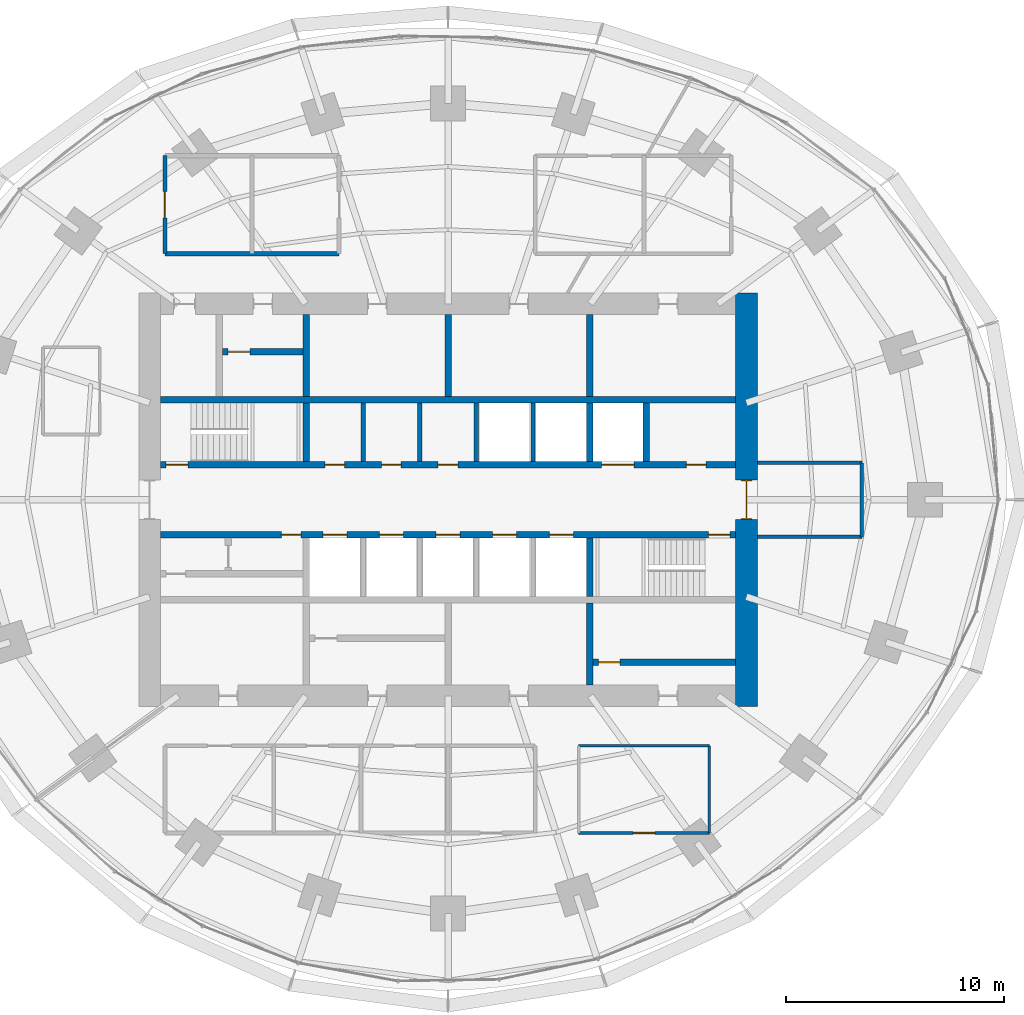
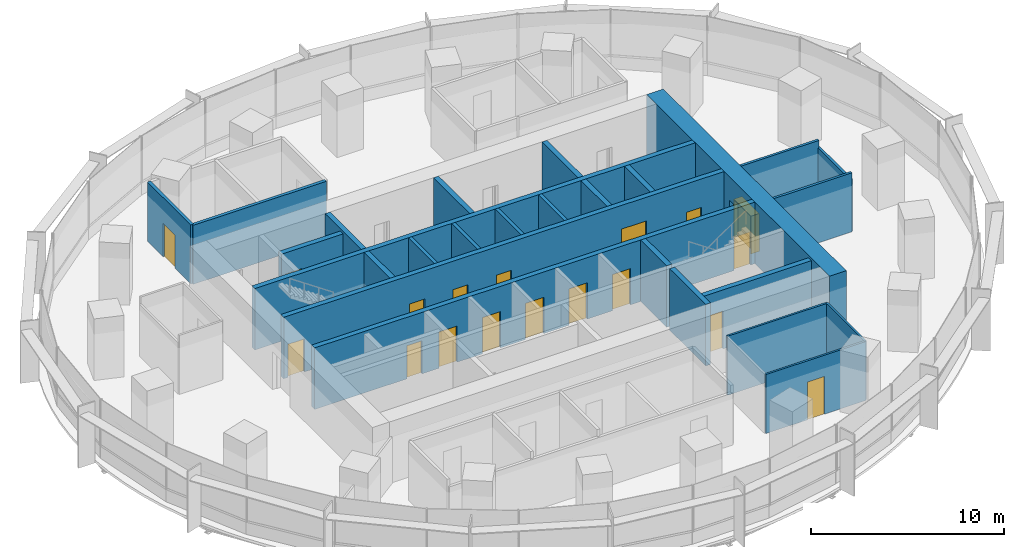
# One storey, part 11 of 14: 26 walls, 18 doors, 18 openings.
"""IFC4 building model written with IfcOpenShell, lengths in metres."""

from ifc_helpers import new_model, si_unit, direction, frame, frame_2d, origin, place, context, subcontext, project, spatial, rectangle, extrude, material, layer, layer_set, type_object, element, fill, save


model = new_model("IFC4")

# Units and contexts
model_context = context("Model", 3, precision=1e-05, world=origin(), true_north=direction((0.0, 1.0)))
body_context = subcontext(model_context, "Body", "Model", "MODEL_VIEW")
ifc_project = project(units=[si_unit("LENGTHUNIT", "METRE"), si_unit("AREAUNIT", "SQUARE_METRE"), si_unit("VOLUMEUNIT", "CUBIC_METRE"), si_unit("PLANEANGLEUNIT", "RADIAN"), si_unit("MASSUNIT", "GRAM", prefix="KILO")], contexts=[model_context])

# Site, building, storey
site_placement = place(None, origin())
site = spatial("IfcSite", under=ifc_project, at=site_placement, CompositionType="ELEMENT")
building_placement = place(site_placement, origin())
building = spatial("IfcBuilding", under=site, at=building_placement, Name="Marramba Exchange Tower", CompositionType="ELEMENT")
storey_placement = place(building_placement, frame((0.0, 0.0, 139.199951171875)))
storey = spatial("IfcBuildingStorey", under=building, at=storey_placement, Name="L33", CompositionType="ELEMENT", Elevation=139.199951171875)

# Walls
ifc_material_1 = material(Name="Concrete N50", Category="concrete")
ifc_layer_1 = layer(ifc_material_1, 0.199951171875)
ifc_layer_set_1 = layer_set([ifc_layer_1], Name="Core shaft wall 200")
wall_type_1 = type_object("IfcWallType", Name="Core shaft wall 200", PredefinedType="SHEAR", material=ifc_layer_set_1)
for number, where, z_axis, x_axis, name in (
    (1, (-3.89990234375, 1.75, 0.0), (0.0, 0.0, 1.0), (0.0, 1.0, 0.0), "Core wall SHN1 L33"),
    (2, (-1.300048828125, 1.75, 0.0), (0.0, 0.0, 1.0), (0.0, 1.0, 0.0), "Core wall SHN2 L33"),
    (3, (1.300048828125, 1.75, 0.0), (0.0, 0.0, 1.0), (0.0, 1.0, 0.0), "Core wall SHN3 L33"),
    (4, (3.89990234375, 1.75, 0.0), (0.0, 0.0, 1.0), (0.0, 1.0, 0.0), "Core wall SHN4 L33"),
):
    element("IfcWall", number, at=place(storey_placement, frame(where, z_axis=z_axis, x_axis=x_axis)), inside=storey, type_object=wall_type_1, Name=name, PredefinedType="SHEAR", context=body_context, shape_type="SweptSolid", body=[
        extrude(rectangle(XDim=2.699951171875, YDim=0.199951171875, at=frame_2d((1.35009765625, 0.0))), origin(), (0.0, 0.0, 1.0), 3.900146484375),
    ])

# Wall, opening, door
ifc_layer_2 = layer(ifc_material_1, 1.0)
ifc_layer_set_2 = layer_set([ifc_layer_2], Name="Core wall 1000")
wall_type_2 = type_object("IfcWallType", Name="Core wall 1000", PredefinedType="SHEAR", material=ifc_layer_set_2)
wall_1_placement = place(storey_placement, frame((13.699951171875, -9.5, 0.0), z_axis=(0.0, 0.0, 1.0), x_axis=(0.0, 1.0, 0.0)))
wall_1 = element("IfcWall", 5, at=wall_1_placement, inside=storey, type_object=wall_type_2, Name="Core wall E L33", PredefinedType="SHEAR", context=body_context, shape_type="SweptSolid", body=[
    extrude(rectangle(XDim=19.0, YDim=1.0, at=frame_2d((9.5, 0.0))), origin(), (0.0, 0.0, 1.0), 3.900146484375),
])
opening_1_placement = place(wall_1_placement, frame((8.60009765625, 0.0, 0.0)))
opening_1 = element("IfcOpeningElement", 6, at=opening_1_placement, cuts=wall_1, Name="Opening D1", PredefinedType="OPENING", context=body_context, shape_type="SweptSolid", body=[
    extrude(rectangle(XDim=1.800048828125, YDim=2.39990234375, at=frame_2d((0.89990234375, 1.199951171875))), frame((0.0, 0.510009765625, 0.0), z_axis=(0.0, -1.0, 0.0), x_axis=(1.0, 0.0, 0.0)), (0.0, 0.0, 1.0), 1.02001953125),
])
ifc_material_2 = material(Name="Steel-framed door", Category="steel")
door_type_1 = type_object("IfcDoorType", Name="Lobby exit door 1800x2400", OperationType="DOUBLE_DOOR_SINGLE_SWING", PredefinedType="DOOR", material=ifc_material_2)
door_1_placement = place(opening_1_placement, frame((1.800048828125, 0.0, 0.0), z_axis=(0.0, 0.0, 1.0), x_axis=(-1.0, 0.0, 0.0)))
door_1 = element("IfcDoor", 7, at=door_1_placement, inside=storey, type_object=door_type_1, Name="D1 lobby exit east L33", OperationType="DOUBLE_DOOR_SINGLE_SWING", OverallHeight=2.39990234375, OverallWidth=1.800048828125, PredefinedType="DOOR", context=body_context, shape_type="SweptSolid", body=[
    extrude(rectangle(XDim=1.719970703125, YDim=2.35986328125, at=frame_2d((0.900146484375, 1.179931640625))), frame((0.0, 0.025146484375, 0.0), z_axis=(0.0, -1.0, 0.0), x_axis=(1.0, 0.0, 0.0)), (0.0, 0.0, 1.0), 0.050048828125),
    extrude(rectangle(XDim=0.04, YDim=2.39990234375, at=frame_2d((1.780029296875, 1.199951171875))), frame((0.0, 0.25, 0.0), z_axis=(0.0, -1.0, 0.0), x_axis=(1.0, 0.0, 0.0)), (0.0, 0.0, 1.0), 0.5),
    extrude(rectangle(XDim=0.04, YDim=2.39990234375, at=frame_2d((0.02001953125, 1.199951171875))), frame((0.0, 0.25, 0.0), z_axis=(0.0, -1.0, 0.0), x_axis=(1.0, 0.0, 0.0)), (0.0, 0.0, 1.0), 0.5),
    extrude(rectangle(XDim=1.719970703125, YDim=0.04, at=frame_2d((0.900146484375, 2.3798828125))), frame((0.0, 0.25, 0.0), z_axis=(0.0, -1.0, 0.0), x_axis=(1.0, 0.0, 0.0)), (0.0, 0.0, 1.0), 0.5),
])
fill(opening_1, door_1)

# Wall, openings, doors
ifc_layer_3 = layer(ifc_material_1, 0.300048828125)
ifc_layer_set_3 = layer_set([ifc_layer_3], Name="Core wall 300")
wall_type_3 = type_object("IfcWallType", Name="Core wall 300", PredefinedType="SHEAR", material=ifc_layer_set_3)
wall_2_placement = place(storey_placement, frame((-13.199951171875, 1.60009765625, 0.0), z_axis=(0.0, 0.0, 1.0), x_axis=(1.0, 0.0, 0.0)))
wall_2 = element("IfcWall", 8, at=wall_2_placement, inside=storey, type_object=wall_type_3, Name="Core wall LN L33", PredefinedType="SHEAR", context=body_context, shape_type="SweptSolid", body=[
    extrude(rectangle(XDim=26.39990234375, YDim=0.300048828125, at=frame_2d((13.199951171875, 0.0))), origin(), (0.0, 0.0, 1.0), 3.900146484375),
])
opening_2_placement = place(wall_2_placement, frame((0.25, 0.0, 0.0)))
opening_2 = element("IfcOpeningElement", 9, at=opening_2_placement, cuts=wall_2, Name="Opening D2", PredefinedType="OPENING", context=body_context, shape_type="SweptSolid", body=[
    extrude(rectangle(XDim=1.0, YDim=2.10009765625, at=frame_2d((0.5, 1.050048828125))), frame((0.0, 0.159912109375, 0.0), z_axis=(0.0, -1.0, 0.0), x_axis=(1.0, 0.0, 0.0)), (0.0, 0.0, 1.0), 0.320068359375),
])
opening_3_placement = place(wall_2_placement, frame((20.25, 0.0, 0.0)))
opening_3 = element("IfcOpeningElement", 10, at=opening_3_placement, cuts=wall_2, Name="Opening LD3", PredefinedType="OPENING", context=body_context, shape_type="SweptSolid", body=[
    extrude(rectangle(XDim=1.5, YDim=2.39990234375, at=frame_2d((0.75, 1.199951171875))), frame((0.0, 0.159912109375, 0.0), z_axis=(0.0, -1.0, 0.0), x_axis=(1.0, 0.0, 0.0)), (0.0, 0.0, 1.0), 0.320068359375),
])
opening_4_placement = place(wall_2_placement, frame((7.550048828125, 0.0, 0.0)))
opening_4 = element("IfcOpeningElement", 11, at=opening_4_placement, cuts=wall_2, Name="Opening D5", PredefinedType="OPENING", context=body_context, shape_type="SweptSolid", body=[
    extrude(rectangle(XDim=0.89990234375, YDim=2.10009765625, at=frame_2d((0.449951171875, 1.050048828125))), frame((0.0, 0.159912109375, 0.0), z_axis=(0.0, -1.0, 0.0), x_axis=(1.0, 0.0, 0.0)), (0.0, 0.0, 1.0), 0.320068359375),
])
opening_5_placement = place(wall_2_placement, frame((10.14990234375, 0.0, 0.0)))
opening_5 = element("IfcOpeningElement", 12, at=opening_5_placement, cuts=wall_2, Name="Opening D5", PredefinedType="OPENING", context=body_context, shape_type="SweptSolid", body=[
    extrude(rectangle(XDim=0.89990234375, YDim=2.10009765625, at=frame_2d((0.449951171875, 1.050048828125))), frame((0.0, 0.159912109375, 0.0), z_axis=(0.0, -1.0, 0.0), x_axis=(1.0, 0.0, 0.0)), (0.0, 0.0, 1.0), 0.320068359375),
])
opening_6_placement = place(wall_2_placement, frame((12.75, 0.0, 0.0)))
opening_6 = element("IfcOpeningElement", 13, at=opening_6_placement, cuts=wall_2, Name="Opening D5", PredefinedType="OPENING", context=body_context, shape_type="SweptSolid", body=[
    extrude(rectangle(XDim=0.89990234375, YDim=2.10009765625, at=frame_2d((0.449951171875, 1.050048828125))), frame((0.0, 0.159912109375, 0.0), z_axis=(0.0, -1.0, 0.0), x_axis=(1.0, 0.0, 0.0)), (0.0, 0.0, 1.0), 0.320068359375),
])
opening_7_placement = place(wall_2_placement, frame((24.14990234375, 0.0, 0.0)))
opening_7 = element("IfcOpeningElement", 14, at=opening_7_placement, cuts=wall_2, Name="Opening D5", PredefinedType="OPENING", context=body_context, shape_type="SweptSolid", body=[
    extrude(rectangle(XDim=0.89990234375, YDim=2.10009765625, at=frame_2d((0.449951171875, 1.050048828125))), frame((0.0, 0.159912109375, 0.0), z_axis=(0.0, -1.0, 0.0), x_axis=(1.0, 0.0, 0.0)), (0.0, 0.0, 1.0), 0.320068359375),
])
door_type_2 = type_object("IfcDoorType", Name="Goods lift landing door 1500x2400", OperationType="SLIDING_TO_LEFT", PredefinedType="DOOR", material=ifc_material_2)
door_2_placement = place(opening_3_placement, origin())
door_2 = element("IfcDoor", 15, at=door_2_placement, inside=storey, type_object=door_type_2, Name="GL1 landing door L33", OperationType="SLIDING_TO_LEFT", OverallHeight=2.39990234375, OverallWidth=1.5, PredefinedType="DOOR", context=body_context, shape_type="SweptSolid", body=[
    extrude(rectangle(XDim=1.5, YDim=2.39990234375, at=frame_2d((0.75, 1.199951171875))), frame((0.0, 0.02490234375, 0.0), z_axis=(0.0, -1.0, 0.0), x_axis=(1.0, 0.0, 0.0)), (0.0, 0.0, 1.0), 0.050048828125),
])
fill(opening_3, door_2)
door_type_3 = type_object("IfcDoorType", Name="Service door 900x2100", OperationType="SINGLE_SWING_LEFT", PredefinedType="DOOR", material=ifc_material_2)
door_3_placement = place(opening_4_placement, origin())
door_3 = element("IfcDoor", 16, at=door_3_placement, inside=storey, type_object=door_type_3, Name="D5 parcel room L33", OperationType="SINGLE_SWING_RIGHT", OverallHeight=2.10009765625, OverallWidth=0.89990234375, PredefinedType="DOOR", context=body_context, shape_type="SweptSolid", body=[
    extrude(rectangle(XDim=0.89990234375, YDim=2.10009765625, at=frame_2d((0.449951171875, 1.050048828125))), frame((0.0, 0.02490234375, 0.0), z_axis=(0.0, -1.0, 0.0), x_axis=(1.0, 0.0, 0.0)), (0.0, 0.0, 1.0), 0.050048828125),
])
fill(opening_4, door_3)
door_4_placement = place(opening_5_placement, origin())
door_4 = element("IfcDoor", 17, at=door_4_placement, inside=storey, type_object=door_type_3, Name="D5 stationery store L33", OperationType="SINGLE_SWING_RIGHT", OverallHeight=2.10009765625, OverallWidth=0.89990234375, PredefinedType="DOOR", context=body_context, shape_type="SweptSolid", body=[
    extrude(rectangle(XDim=0.89990234375, YDim=2.10009765625, at=frame_2d((0.449951171875, 1.050048828125))), frame((0.0, 0.02490234375, 0.0), z_axis=(0.0, -1.0, 0.0), x_axis=(1.0, 0.0, 0.0)), (0.0, 0.0, 1.0), 0.050048828125),
])
fill(opening_5, door_4)
door_5_placement = place(opening_6_placement, origin())
door_5 = element("IfcDoor", 18, at=door_5_placement, inside=storey, type_object=door_type_3, Name="D5 switch room L33", OperationType="SINGLE_SWING_RIGHT", OverallHeight=2.10009765625, OverallWidth=0.89990234375, PredefinedType="DOOR", context=body_context, shape_type="SweptSolid", body=[
    extrude(rectangle(XDim=0.89990234375, YDim=2.10009765625, at=frame_2d((0.449951171875, 1.050048828125))), frame((0.0, 0.02490234375, 0.0), z_axis=(0.0, -1.0, 0.0), x_axis=(1.0, 0.0, 0.0)), (0.0, 0.0, 1.0), 0.050048828125),
])
fill(opening_6, door_5)
door_6_placement = place(opening_7_placement, origin())
door_6 = element("IfcDoor", 19, at=door_6_placement, inside=storey, type_object=door_type_3, Name="D5 riser L33", OperationType="SINGLE_SWING_RIGHT", OverallHeight=2.10009765625, OverallWidth=0.89990234375, PredefinedType="DOOR", context=body_context, shape_type="SweptSolid", body=[
    extrude(rectangle(XDim=0.89990234375, YDim=2.10009765625, at=frame_2d((0.449951171875, 1.050048828125))), frame((0.0, 0.02490234375, 0.0), z_axis=(0.0, -1.0, 0.0), x_axis=(1.0, 0.0, 0.0)), (0.0, 0.0, 1.0), 0.050048828125),
])
fill(opening_7, door_6)
door_type_4 = type_object("IfcDoorType", Name="Stair door 1000x2100", OperationType="SINGLE_SWING_LEFT", PredefinedType="DOOR", material=ifc_material_2)
door_7_placement = place(opening_2_placement, origin())
door_7 = element("IfcDoor", 20, at=door_7_placement, inside=storey, type_object=door_type_4, Name="D2 stair ST1 L33", OperationType="SINGLE_SWING_LEFT", OverallHeight=2.10009765625, OverallWidth=1.0, PredefinedType="DOOR", context=body_context, shape_type="SweptSolid", body=[
    extrude(rectangle(XDim=1.0, YDim=2.10009765625, at=frame_2d((0.5, 1.050048828125))), frame((0.0, 0.02490234375, 0.0), z_axis=(0.0, -1.0, 0.0), x_axis=(1.0, 0.0, 0.0)), (0.0, 0.0, 1.0), 0.050048828125),
])
fill(opening_2, door_7)

wall_3_placement = place(storey_placement, frame((-13.199951171875, -1.60009765625, 0.0), z_axis=(0.0, 0.0, 1.0), x_axis=(1.0, 0.0, 0.0)))
wall_3 = element("IfcWall", 21, at=wall_3_placement, inside=storey, type_object=wall_type_3, Name="Core wall LS L33", PredefinedType="SHEAR", context=body_context, shape_type="SweptSolid", body=[
    extrude(rectangle(XDim=26.39990234375, YDim=0.300048828125, at=frame_2d((13.199951171875, 0.0))), origin(), (0.0, 0.0, 1.0), 3.900146484375),
])
opening_8_placement = place(wall_3_placement, frame((25.14990234375, 0.0, 0.0)))
opening_8 = element("IfcOpeningElement", 22, at=opening_8_placement, cuts=wall_3, Name="Opening D2", PredefinedType="OPENING", context=body_context, shape_type="SweptSolid", body=[
    extrude(rectangle(XDim=1.0, YDim=2.10009765625, at=frame_2d((0.5, 1.050048828125))), frame((0.0, 0.159912109375, 0.0), z_axis=(0.0, -1.0, 0.0), x_axis=(1.0, 0.0, 0.0)), (0.0, 0.0, 1.0), 0.320068359375),
])
opening_9_placement = place(wall_3_placement, frame((7.449951171875, 0.0, 0.0)))
opening_9 = element("IfcOpeningElement", 23, at=opening_9_placement, cuts=wall_3, Name="Opening LD1", PredefinedType="OPENING", context=body_context, shape_type="SweptSolid", body=[
    extrude(rectangle(XDim=1.10009765625, YDim=2.300048828125, at=frame_2d((0.550048828125, 1.14990234375))), frame((0.0, 0.159912109375, 0.0), z_axis=(0.0, -1.0, 0.0), x_axis=(1.0, 0.0, 0.0)), (0.0, 0.0, 1.0), 0.320068359375),
])
opening_10_placement = place(wall_3_placement, frame((10.050048828125, 0.0, 0.0)))
opening_10 = element("IfcOpeningElement", 24, at=opening_10_placement, cuts=wall_3, Name="Opening LD1", PredefinedType="OPENING", context=body_context, shape_type="SweptSolid", body=[
    extrude(rectangle(XDim=1.10009765625, YDim=2.300048828125, at=frame_2d((0.550048828125, 1.14990234375))), frame((0.0, 0.159912109375, 0.0), z_axis=(0.0, -1.0, 0.0), x_axis=(1.0, 0.0, 0.0)), (0.0, 0.0, 1.0), 0.320068359375),
])
opening_11_placement = place(wall_3_placement, frame((12.64990234375, 0.0, 0.0)))
opening_11 = element("IfcOpeningElement", 25, at=opening_11_placement, cuts=wall_3, Name="Opening LD1", PredefinedType="OPENING", context=body_context, shape_type="SweptSolid", body=[
    extrude(rectangle(XDim=1.10009765625, YDim=2.300048828125, at=frame_2d((0.550048828125, 1.14990234375))), frame((0.0, 0.159912109375, 0.0), z_axis=(0.0, -1.0, 0.0), x_axis=(1.0, 0.0, 0.0)), (0.0, 0.0, 1.0), 0.320068359375),
])
opening_12_placement = place(wall_3_placement, frame((15.25, 0.0, 0.0)))
opening_12 = element("IfcOpeningElement", 26, at=opening_12_placement, cuts=wall_3, Name="Opening LD2", PredefinedType="OPENING", context=body_context, shape_type="SweptSolid", body=[
    extrude(rectangle(XDim=1.10009765625, YDim=2.300048828125, at=frame_2d((0.550048828125, 1.14990234375))), frame((0.0, 0.159912109375, 0.0), z_axis=(0.0, -1.0, 0.0), x_axis=(1.0, 0.0, 0.0)), (0.0, 0.0, 1.0), 0.320068359375),
])
opening_13_placement = place(wall_3_placement, frame((17.85009765625, 0.0, 0.0)))
opening_13 = element("IfcOpeningElement", 27, at=opening_13_placement, cuts=wall_3, Name="Opening LD2", PredefinedType="OPENING", context=body_context, shape_type="SweptSolid", body=[
    extrude(rectangle(XDim=1.10009765625, YDim=2.300048828125, at=frame_2d((0.550048828125, 1.14990234375))), frame((0.0, 0.159912109375, 0.0), z_axis=(0.0, -1.0, 0.0), x_axis=(1.0, 0.0, 0.0)), (0.0, 0.0, 1.0), 0.320068359375),
])
opening_14_placement = place(wall_3_placement, frame((5.550048828125, 0.0, 0.0)))
opening_14 = element("IfcOpeningElement", 28, at=opening_14_placement, cuts=wall_3, Name="Opening D5", PredefinedType="OPENING", context=body_context, shape_type="SweptSolid", body=[
    extrude(rectangle(XDim=0.89990234375, YDim=2.10009765625, at=frame_2d((0.449951171875, 1.050048828125))), frame((0.0, 0.159912109375, 0.0), z_axis=(0.0, -1.0, 0.0), x_axis=(1.0, 0.0, 0.0)), (0.0, 0.0, 1.0), 0.320068359375),
])
door_type_5 = type_object("IfcDoorType", Name="Emergency lift landing door 1100x2300", OperationType="SLIDING_TO_LEFT", PredefinedType="DOOR", material=ifc_material_2)
door_8_placement = place(opening_12_placement, frame((1.10009765625, 0.0, 0.0), z_axis=(0.0, 0.0, 1.0), x_axis=(-1.0, 0.0, 0.0)))
door_8 = element("IfcDoor", 29, at=door_8_placement, inside=storey, type_object=door_type_5, Name="FL1 landing door L33", OperationType="SLIDING_TO_RIGHT", OverallHeight=2.300048828125, OverallWidth=1.10009765625, PredefinedType="DOOR", context=body_context, shape_type="SweptSolid", body=[
    extrude(rectangle(XDim=1.10009765625, YDim=2.300048828125, at=frame_2d((0.550048828125, 1.14990234375))), frame((0.0, 0.025146484375, 0.0), z_axis=(0.0, -1.0, 0.0), x_axis=(1.0, 0.0, 0.0)), (0.0, 0.0, 1.0), 0.050048828125),
])
fill(opening_12, door_8)
door_9_placement = place(opening_13_placement, frame((1.10009765625, 0.0, 0.0), z_axis=(0.0, 0.0, 1.0), x_axis=(-1.0, 0.0, 0.0)))
door_9 = element("IfcDoor", 30, at=door_9_placement, inside=storey, type_object=door_type_5, Name="FL2 landing door L33", OperationType="SLIDING_TO_LEFT", OverallHeight=2.300048828125, OverallWidth=1.10009765625, PredefinedType="DOOR", context=body_context, shape_type="SweptSolid", body=[
    extrude(rectangle(XDim=1.10009765625, YDim=2.300048828125, at=frame_2d((0.550048828125, 1.14990234375))), frame((0.0, 0.025146484375, 0.0), z_axis=(0.0, -1.0, 0.0), x_axis=(1.0, 0.0, 0.0)), (0.0, 0.0, 1.0), 0.050048828125),
])
fill(opening_13, door_9)
door_type_6 = type_object("IfcDoorType", Name="Lift landing door 1100x2300", OperationType="SLIDING_TO_LEFT", PredefinedType="DOOR", material=ifc_material_2)
door_10_placement = place(opening_9_placement, frame((1.10009765625, 0.0, 0.0), z_axis=(0.0, 0.0, 1.0), x_axis=(-1.0, 0.0, 0.0)))
door_10 = element("IfcDoor", 31, at=door_10_placement, inside=storey, type_object=door_type_6, Name="LB1 landing door L33", OperationType="SLIDING_TO_LEFT", OverallHeight=2.300048828125, OverallWidth=1.10009765625, PredefinedType="DOOR", context=body_context, shape_type="SweptSolid", body=[
    extrude(rectangle(XDim=1.10009765625, YDim=2.300048828125, at=frame_2d((0.550048828125, 1.14990234375))), frame((0.0, 0.025146484375, 0.0), z_axis=(0.0, -1.0, 0.0), x_axis=(1.0, 0.0, 0.0)), (0.0, 0.0, 1.0), 0.050048828125),
])
fill(opening_9, door_10)
door_11_placement = place(opening_10_placement, frame((1.10009765625, 0.0, 0.0), z_axis=(0.0, 0.0, 1.0), x_axis=(-1.0, 0.0, 0.0)))
door_11 = element("IfcDoor", 32, at=door_11_placement, inside=storey, type_object=door_type_6, Name="LB2 landing door L33", OperationType="SLIDING_TO_RIGHT", OverallHeight=2.300048828125, OverallWidth=1.10009765625, PredefinedType="DOOR", context=body_context, shape_type="SweptSolid", body=[
    extrude(rectangle(XDim=1.10009765625, YDim=2.300048828125, at=frame_2d((0.550048828125, 1.14990234375))), frame((0.0, 0.025146484375, 0.0), z_axis=(0.0, -1.0, 0.0), x_axis=(1.0, 0.0, 0.0)), (0.0, 0.0, 1.0), 0.050048828125),
])
fill(opening_10, door_11)
door_12_placement = place(opening_11_placement, frame((1.10009765625, 0.0, 0.0), z_axis=(0.0, 0.0, 1.0), x_axis=(-1.0, 0.0, 0.0)))
door_12 = element("IfcDoor", 33, at=door_12_placement, inside=storey, type_object=door_type_6, Name="LB3 landing door L33", OperationType="SLIDING_TO_RIGHT", OverallHeight=2.300048828125, OverallWidth=1.10009765625, PredefinedType="DOOR", context=body_context, shape_type="SweptSolid", body=[
    extrude(rectangle(XDim=1.10009765625, YDim=2.300048828125, at=frame_2d((0.550048828125, 1.14990234375))), frame((0.0, 0.025146484375, 0.0), z_axis=(0.0, -1.0, 0.0), x_axis=(1.0, 0.0, 0.0)), (0.0, 0.0, 1.0), 0.050048828125),
])
fill(opening_11, door_12)
door_13_placement = place(opening_14_placement, frame((0.89990234375, 0.0, 0.0), z_axis=(0.0, 0.0, 1.0), x_axis=(-1.0, 0.0, 0.0)))
door_13 = element("IfcDoor", 34, at=door_13_placement, inside=storey, type_object=door_type_3, Name="D5 electrical riser L33", OperationType="SINGLE_SWING_LEFT", OverallHeight=2.10009765625, OverallWidth=0.89990234375, PredefinedType="DOOR", context=body_context, shape_type="SweptSolid", body=[
    extrude(rectangle(XDim=0.89990234375, YDim=2.10009765625, at=frame_2d((0.449951171875, 1.050048828125))), frame((0.0, 0.025146484375, 0.0), z_axis=(0.0, -1.0, 0.0), x_axis=(1.0, 0.0, 0.0)), (0.0, 0.0, 1.0), 0.050048828125),
])
fill(opening_14, door_13)
door_14_placement = place(opening_8_placement, frame((1.0, 0.0, 0.0), z_axis=(0.0, 0.0, 1.0), x_axis=(-1.0, 0.0, 0.0)))
door_14 = element("IfcDoor", 35, at=door_14_placement, inside=storey, type_object=door_type_4, Name="D2 stair ST2 L33", OperationType="SINGLE_SWING_LEFT", OverallHeight=2.10009765625, OverallWidth=1.0, PredefinedType="DOOR", context=body_context, shape_type="SweptSolid", body=[
    extrude(rectangle(XDim=1.0, YDim=2.10009765625, at=frame_2d((0.5, 1.050048828125))), frame((0.0, 0.025146484375, 0.0), z_axis=(0.0, -1.0, 0.0), x_axis=(1.0, 0.0, 0.0)), (0.0, 0.0, 1.0), 0.050048828125),
])
fill(opening_8, door_14)

# Walls
wall_4_placement = place(storey_placement, frame((-13.199951171875, 4.60009765625, 0.0), z_axis=(0.0, 0.0, 1.0), x_axis=(1.0, 0.0, 0.0)))
element("IfcWall", 36, at=wall_4_placement, inside=storey, type_object=wall_type_3, Name="Core wall BN L33", PredefinedType="SHEAR", context=body_context, shape_type="SweptSolid", body=[
    extrude(rectangle(XDim=26.39990234375, YDim=0.300048828125, at=frame_2d((13.199951171875, 0.0))), origin(), (0.0, 0.0, 1.0), 3.900146484375),
])
wall_5_placement = place(storey_placement, frame((-6.5, 1.75, 0.0), z_axis=(0.0, 0.0, 1.0), x_axis=(0.0, 1.0, 0.0)))
element("IfcWall", 37, at=wall_5_placement, inside=storey, type_object=wall_type_3, Name="Core wall X0Na L33", PredefinedType="SHEAR", context=body_context, shape_type="SweptSolid", body=[
    extrude(rectangle(XDim=2.699951171875, YDim=0.300048828125, at=frame_2d((1.35009765625, 0.0))), origin(), (0.0, 0.0, 1.0), 3.900146484375),
])
wall_6_placement = place(storey_placement, frame((-6.5, 4.75, 0.0), z_axis=(0.0, 0.0, 1.0), x_axis=(0.0, 1.0, 0.0)))
element("IfcWall", 38, at=wall_6_placement, inside=storey, type_object=wall_type_3, Name="Core wall X0Nb L33", PredefinedType="SHEAR", context=body_context, shape_type="SweptSolid", body=[
    extrude(rectangle(XDim=3.75, YDim=0.300048828125, at=frame_2d((1.875, 0.0))), origin(), (0.0, 0.0, 1.0), 3.900146484375),
])
wall_7_placement = place(storey_placement, frame((6.5, 1.75, 0.0), z_axis=(0.0, 0.0, 1.0), x_axis=(0.0, 1.0, 0.0)))
element("IfcWall", 39, at=wall_7_placement, inside=storey, type_object=wall_type_3, Name="Core wall X1Na L33", PredefinedType="SHEAR", context=body_context, shape_type="SweptSolid", body=[
    extrude(rectangle(XDim=2.699951171875, YDim=0.300048828125, at=frame_2d((1.35009765625, 0.0))), origin(), (0.0, 0.0, 1.0), 3.900146484375),
])
for number, where, z_axis, x_axis, name in (
    (40, (6.5, 4.75, 0.0), (0.0, 0.0, 1.0), (0.0, 1.0, 0.0), "Core wall X1Nb L33"),
    (41, (0.0, 4.75, 0.0), (0.0, 0.0, 1.0), (0.0, 1.0, 0.0), "Core wall MN L33"),
):
    element("IfcWall", number, at=place(storey_placement, frame(where, z_axis=z_axis, x_axis=x_axis)), inside=storey, type_object=wall_type_3, Name=name, PredefinedType="SHEAR", context=body_context, shape_type="SweptSolid", body=[
        extrude(rectangle(XDim=3.75, YDim=0.300048828125, at=frame_2d((1.875, 0.0))), origin(), (0.0, 0.0, 1.0), 3.900146484375),
    ])
wall_8_placement = place(storey_placement, frame((6.5, -1.75, 0.0), z_axis=(0.0, 0.0, 1.0), x_axis=(0.0, -1.0, 0.0)))
element("IfcWall", 42, at=wall_8_placement, inside=storey, type_object=wall_type_3, Name="Core wall X1Sa L33", PredefinedType="SHEAR", context=body_context, shape_type="SweptSolid", body=[
    extrude(rectangle(XDim=2.699951171875, YDim=0.300048828125, at=frame_2d((1.35009765625, 0.0))), origin(), (0.0, 0.0, 1.0), 3.900146484375),
])
wall_9_placement = place(storey_placement, frame((6.5, -4.75, 0.0), z_axis=(0.0, 0.0, 1.0), x_axis=(0.0, -1.0, 0.0)))
element("IfcWall", 43, at=wall_9_placement, inside=storey, type_object=wall_type_3, Name="Core wall X1Sb L33", PredefinedType="SHEAR", context=body_context, shape_type="SweptSolid", body=[
    extrude(rectangle(XDim=3.75, YDim=0.300048828125, at=frame_2d((1.875, 0.0))), origin(), (0.0, 0.0, 1.0), 3.900146484375),
])
wall_10_placement = place(storey_placement, frame((9.10009765625, 1.75, 0.0), z_axis=(0.0, 0.0, 1.0), x_axis=(0.0, 1.0, 0.0)))
element("IfcWall", 44, at=wall_10_placement, inside=storey, type_object=wall_type_3, Name="Core wall ED L33", PredefinedType="SHEAR", context=body_context, shape_type="SweptSolid", body=[
    extrude(rectangle(XDim=2.699951171875, YDim=0.300048828125, at=frame_2d((1.35009765625, 0.0))), origin(), (0.0, 0.0, 1.0), 3.900146484375),
])
ifc_material_3 = material(Name="Core-filled concrete blockwork, rendered", Category="masonry")
ifc_layer_4 = layer(ifc_material_3, 0.18994140625)
ifc_layer_set_4 = layer_set([ifc_layer_4], Name="Equipment room wall 190")
wall_type_4 = type_object("IfcWallType", Name="Equipment room wall 190", PredefinedType="SOLIDWALL", material=ifc_layer_set_4)
wall_11_placement = place(storey_placement, frame((-5.0, 11.300048828125, 0.0), z_axis=(0.0, 0.0, 1.0), x_axis=(-1.0, 0.0, 0.0)))
element("IfcWall", 45, at=wall_11_placement, inside=storey, type_object=wall_type_4, Name="Equipment room wall L33 26", PredefinedType="SOLIDWALL", context=body_context, shape_type="SweptSolid", body=[
    extrude(rectangle(XDim=8.0, YDim=0.18994140625, at=frame_2d((4.0, 0.0))), origin(), (0.0, 0.0, 1.0), 3.739990234375),
])

# Wall, opening, door
wall_12_placement = place(storey_placement, frame((-13.0, 11.300048828125, 0.0), z_axis=(0.0, 0.0, 1.0), x_axis=(0.0, 1.0, 0.0)))
wall_12 = element("IfcWall", 46, at=wall_12_placement, inside=storey, type_object=wall_type_4, Name="Equipment room wall L33 27", PredefinedType="SOLIDWALL", context=body_context, shape_type="SweptSolid", body=[
    extrude(rectangle(XDim=4.5, YDim=0.18994140625, at=frame_2d((2.25, 0.0))), origin(), (0.0, 0.0, 1.0), 3.739990234375),
])
opening_15_placement = place(wall_12_placement, frame((1.64990234375, 0.0, 0.0)))
opening_15 = element("IfcOpeningElement", 47, at=opening_15_placement, cuts=wall_12, Name="Opening D16", PredefinedType="OPENING", context=body_context, shape_type="SweptSolid", body=[
    extrude(rectangle(XDim=1.199951171875, YDim=2.10009765625, at=frame_2d((0.60009765625, 1.050048828125))), frame((0.0, 0.10498046875, 0.0), z_axis=(0.0, -1.0, 0.0), x_axis=(1.0, 0.0, 0.0)), (0.0, 0.0, 1.0), 0.2099609375),
])
door_type_7 = type_object("IfcDoorType", Name="Equipment room door 1200x2100", OperationType="SINGLE_SWING_LEFT", PredefinedType="DOOR", material=ifc_material_2)
door_15_placement = place(opening_15_placement, frame((1.199951171875, 0.0, 0.0), z_axis=(0.0, 0.0, 1.0), x_axis=(-1.0, 0.0, 0.0)))
door_15 = element("IfcDoor", 48, at=door_15_placement, inside=storey, type_object=door_type_7, Name="D16 Data Room 1 L33", OperationType="SINGLE_SWING_RIGHT", OverallHeight=2.10009765625, OverallWidth=1.199951171875, PredefinedType="DOOR", context=body_context, shape_type="SweptSolid", body=[
    extrude(rectangle(XDim=1.199951171875, YDim=2.10009765625, at=frame_2d((0.599853515625, 1.050048828125))), frame((0.0, 0.025146484375, 0.0), z_axis=(0.0, -1.0, 0.0), x_axis=(1.0, 0.0, 0.0)), (0.0, 0.0, 1.0), 0.050048828125),
])
fill(opening_15, door_15)

ifc_material_4 = material(Name="Plasterboard on steel studs", Category="steel")
ifc_layer_5 = layer(ifc_material_4, 0.1201171875)
ifc_layer_set_5 = layer_set([ifc_layer_5], Name="Partition 120")
wall_type_5 = type_object("IfcWallType", Name="Partition 120", PredefinedType="PARTITIONING", material=ifc_layer_set_5)
wall_13_placement = place(storey_placement, frame((12.0, -15.300048828125, 0.0), z_axis=(0.0, 0.0, 1.0), x_axis=(-1.0, 0.0, 0.0)))
wall_13 = element("IfcWall", 49, at=wall_13_placement, inside=storey, type_object=wall_type_5, Name="Partition L33 10", PredefinedType="PARTITIONING", context=body_context, shape_type="SweptSolid", body=[
    extrude(rectangle(XDim=6.0, YDim=0.1201171875, at=frame_2d((3.0, 0.0))), origin(), (0.0, 0.0, 1.0), 3.739990234375),
])
opening_16_placement = place(wall_13_placement, frame((2.5, 0.0, 0.0)))
opening_16 = element("IfcOpeningElement", 50, at=opening_16_placement, cuts=wall_13, Name="Opening D9", PredefinedType="OPENING", context=body_context, shape_type="SweptSolid", body=[
    extrude(rectangle(XDim=1.0, YDim=2.39990234375, at=frame_2d((0.5, 1.199951171875))), frame((0.0, 0.070068359375, 0.0), z_axis=(0.0, -1.0, 0.0), x_axis=(1.0, 0.0, 0.0)), (0.0, 0.0, 1.0), 0.14013671875),
])
ifc_material_5 = material(Name="Timber door", Category="wood")
door_type_8 = type_object("IfcDoorType", Name="Room door 1000x2400", OperationType="SINGLE_SWING_LEFT", PredefinedType="DOOR", material=ifc_material_5)
door_16_placement = place(opening_16_placement, frame((1.0, 0.0, 0.0), z_axis=(0.0, 0.0, 1.0), x_axis=(-1.0, 0.0, 0.0)))
door_16 = element("IfcDoor", 51, at=door_16_placement, inside=storey, type_object=door_type_8, Name="D9 Pantry L33", OperationType="SINGLE_SWING_RIGHT", OverallHeight=2.39990234375, OverallWidth=1.0, PredefinedType="DOOR", context=body_context, shape_type="SweptSolid", body=[
    extrude(rectangle(XDim=1.0, YDim=2.39990234375, at=frame_2d((0.5, 1.199951171875))), frame((0.0, 0.025146484375, 0.0), z_axis=(0.0, -1.0, 0.0), x_axis=(1.0, 0.0, 0.0)), (0.0, 0.0, 1.0), 0.050048828125),
])
fill(opening_16, door_16)

# Walls
wall_14_placement = place(storey_placement, frame((6.0, -11.300048828125, 0.0), z_axis=(0.0, 0.0, 1.0), x_axis=(1.0, 0.0, 0.0)))
element("IfcWall", 52, at=wall_14_placement, inside=storey, type_object=wall_type_5, Name="Partition L33 11", PredefinedType="PARTITIONING", context=body_context, shape_type="SweptSolid", body=[
    extrude(rectangle(XDim=6.0, YDim=0.1201171875, at=frame_2d((3.0, 0.0))), origin(), (0.0, 0.0, 1.0), 3.739990234375),
])
wall_15_placement = place(storey_placement, frame((12.0, -11.300048828125, 0.0), z_axis=(0.0, 0.0, 1.0), x_axis=(0.0, -1.0, 0.0)))
element("IfcWall", 53, at=wall_15_placement, inside=storey, type_object=wall_type_5, Name="Partition L33 12", PredefinedType="PARTITIONING", context=body_context, shape_type="SweptSolid", body=[
    extrude(rectangle(XDim=4.0, YDim=0.1201171875, at=frame_2d((2.0, 0.0))), origin(), (0.0, 0.0, 1.0), 3.739990234375),
])

# Wall, opening, door
ifc_material_6 = material(Name="Plasterboard on steel studs, insulated, unrated", Category="steel")
ifc_layer_6 = layer(ifc_material_6, 0.300048828125)
ifc_layer_set_6 = layer_set([ifc_layer_6], Name="Store partition 300")
wall_type_6 = type_object("IfcWallType", Name="Store partition 300", PredefinedType="PARTITIONING", material=ifc_layer_set_6)
wall_16_placement = place(storey_placement, frame((-10.35009765625, 6.800048828125, 0.0), z_axis=(0.0, 0.0, 1.0), x_axis=(1.0, 0.0, 0.0)))
wall_16 = element("IfcWall", 54, at=wall_16_placement, inside=storey, type_object=wall_type_6, Name="Store partition L33 cleaner", PredefinedType="PARTITIONING", context=body_context, shape_type="SweptSolid", body=[
    extrude(rectangle(XDim=3.7001953125, YDim=0.300048828125, at=frame_2d((1.85009765625, 0.0))), origin(), (0.0, 0.0, 1.0), 3.739990234375),
])
opening_17_placement = place(wall_16_placement, frame((0.25, 0.0, 0.0)))
opening_17 = element("IfcOpeningElement", 55, at=opening_17_placement, cuts=wall_16, Name="Opening D9", PredefinedType="OPENING", context=body_context, shape_type="SweptSolid", body=[
    extrude(rectangle(XDim=1.0, YDim=2.39990234375, at=frame_2d((0.5, 1.199951171875))), frame((0.0, 0.159912109375, 0.0), z_axis=(0.0, -1.0, 0.0), x_axis=(1.0, 0.0, 0.0)), (0.0, 0.0, 1.0), 0.320068359375),
])
door_17_placement = place(opening_17_placement, origin())
door_17 = element("IfcDoor", 56, at=door_17_placement, inside=storey, type_object=door_type_8, Name="D9 cleaning store L33", OperationType="SINGLE_SWING_LEFT", OverallHeight=2.39990234375, OverallWidth=1.0, PredefinedType="DOOR", context=body_context, shape_type="SweptSolid", body=[
    extrude(rectangle(XDim=1.0, YDim=2.39990234375, at=frame_2d((0.5, 1.199951171875))), frame((0.0, 0.02490234375, 0.0), z_axis=(0.0, -1.0, 0.0), x_axis=(1.0, 0.0, 0.0)), (0.0, 0.0, 1.0), 0.050048828125),
])
fill(opening_17, door_17)

wall_17_placement = place(storey_placement, frame((6.64990234375, -7.4599609375, 0.0), z_axis=(0.0, 0.0, 1.0), x_axis=(1.0, 0.0, 0.0)))
wall_17 = element("IfcWall", 57, at=wall_17_placement, inside=storey, type_object=wall_type_6, Name="Store partition L33 cstore", PredefinedType="PARTITIONING", context=body_context, shape_type="SweptSolid", body=[
    extrude(rectangle(XDim=6.550048828125, YDim=0.300048828125, at=frame_2d((3.27490234375, 0.0))), origin(), (0.0, 0.0, 1.0), 3.739990234375),
])
opening_18_placement = place(wall_17_placement, frame((0.25, 0.0, 0.0)))
opening_18 = element("IfcOpeningElement", 58, at=opening_18_placement, cuts=wall_17, Name="Opening D9", PredefinedType="OPENING", context=body_context, shape_type="SweptSolid", body=[
    extrude(rectangle(XDim=1.0, YDim=2.39990234375, at=frame_2d((0.5, 1.199951171875))), frame((0.0, 0.159912109375, 0.0), z_axis=(0.0, -1.0, 0.0), x_axis=(1.0, 0.0, 0.0)), (0.0, 0.0, 1.0), 0.320068359375),
])
door_18_placement = place(opening_18_placement, frame((1.0, 0.0, 0.0), z_axis=(0.0, 0.0, 1.0), x_axis=(-1.0, 0.0, 0.0)))
door_18 = element("IfcDoor", 59, at=door_18_placement, inside=storey, type_object=door_type_8, Name="D9 general store L33", OperationType="SINGLE_SWING_RIGHT", OverallHeight=2.39990234375, OverallWidth=1.0, PredefinedType="DOOR", context=body_context, shape_type="SweptSolid", body=[
    extrude(rectangle(XDim=1.0, YDim=2.39990234375, at=frame_2d((0.5, 1.199951171875))), frame((0.0, 0.025146484375, 0.0), z_axis=(0.0, -1.0, 0.0), x_axis=(1.0, 0.0, 0.0)), (0.0, 0.0, 1.0), 0.050048828125),
])
fill(opening_18, door_18)

# Walls
ifc_material_7 = material(Name="Fire-rated plasterboard on steel studs, acoustic insulation", Category="steel")
ifc_layer_7 = layer(ifc_material_7, 0.14990234375)
ifc_layer_set_7 = layer_set([ifc_layer_7], Name="Tenancy wall 150")
wall_type_7 = type_object("IfcWallType", Name="Tenancy wall 150", PredefinedType="PARTITIONING", material=ifc_layer_set_7)
wall_18_placement = place(storey_placement, frame((14.199951171875, -1.699951171875, 0.0), z_axis=(0.0, 0.0, 1.0), x_axis=(1.0, 0.0, 0.0)))
element("IfcWall", 60, at=wall_18_placement, inside=storey, type_object=wall_type_7, Name="Tenancy wall L33 13", PredefinedType="PARTITIONING", context=body_context, shape_type="SweptSolid", body=[
    extrude(rectangle(XDim=4.800048828125, YDim=0.14990234375, at=frame_2d((2.39990234375, 0.0))), origin(), (0.0, 0.0, 1.0), 3.739990234375),
])
wall_19_placement = place(storey_placement, frame((19.0, -1.699951171875, 0.0), z_axis=(0.0, 0.0, 1.0), x_axis=(0.0, 1.0, 0.0)))
element("IfcWall", 61, at=wall_19_placement, inside=storey, type_object=wall_type_7, Name="Tenancy wall L33 14", PredefinedType="PARTITIONING", context=body_context, shape_type="SweptSolid", body=[
    extrude(rectangle(XDim=3.39990234375, YDim=0.14990234375, at=frame_2d((1.699951171875, 0.0))), origin(), (0.0, 0.0, 1.0), 3.2861328125),
])
wall_20_placement = place(storey_placement, frame((19.0, 1.699951171875, 0.0), z_axis=(0.0, 0.0, 1.0), x_axis=(-1.0, 0.0, 0.0)))
element("IfcWall", 62, at=wall_20_placement, inside=storey, type_object=wall_type_7, Name="Tenancy wall L33 15", PredefinedType="PARTITIONING", context=body_context, shape_type="SweptSolid", body=[
    extrude(rectangle(XDim=4.800048828125, YDim=0.14990234375, at=frame_2d((2.39990234375, 0.0))), origin(), (0.0, 0.0, 1.0), 3.739990234375),
])

save(model, "model.ifc")
